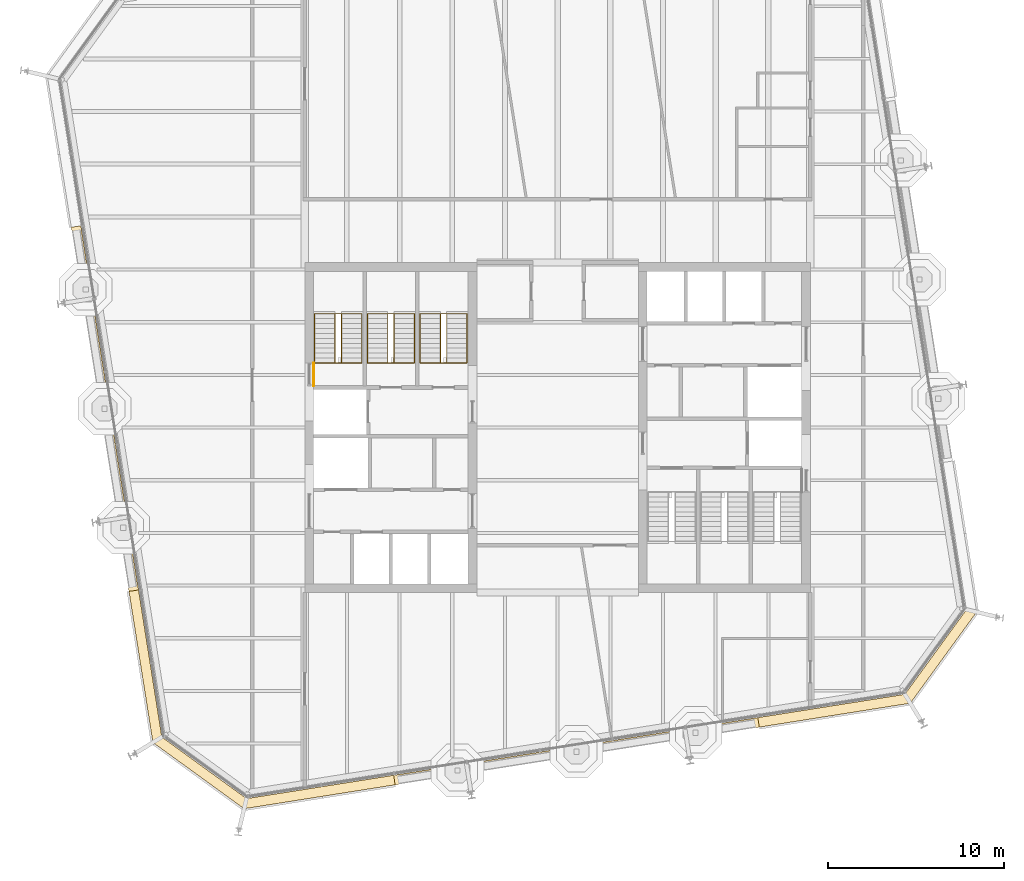
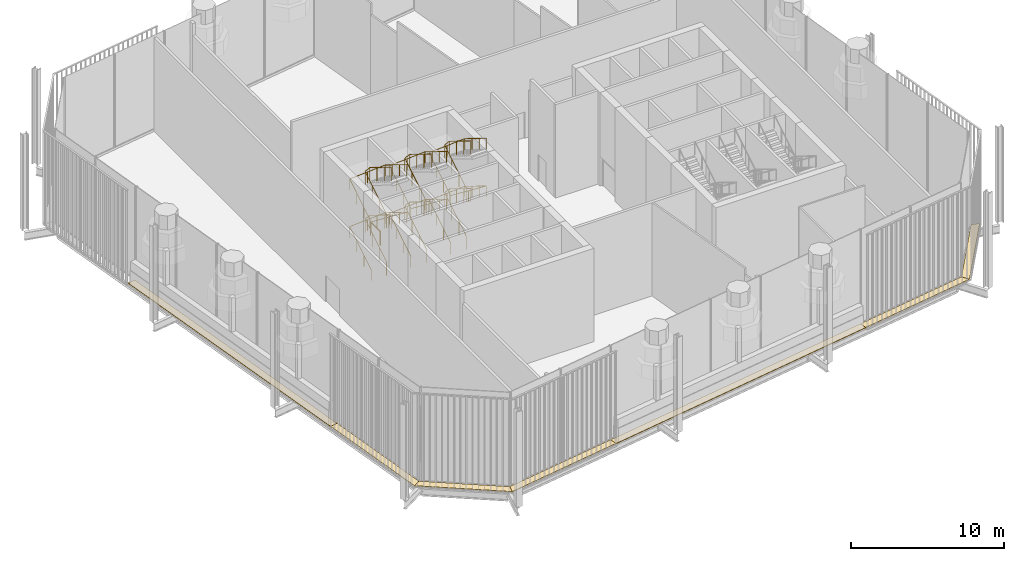
# One storey, part 15 of 17: 7 coverings, 7 railings.
"""IFC4 building model written with IfcOpenShell, lengths in metres."""

import ifcopenshell
import ifcopenshell.guid

model = None  # the IFC model being written
_history = None  # IfcOwnerHistory: only IFC2X3 demands one
_inside = {}  # id of a spatial element -> (the spatial element, [elements in it])
_under = {}  # id of a project, library or spatial element -> (it, [spatial elements below it])
_declared = {}  # id of a project -> (the project, [libraries it declares])
_typed = {}  # id of a type object -> (the type object, [elements of that type])
_made_of = {}  # id of a material, layer set ... -> (it, [elements and type objects made of it])


def new_model(schema):
    """Start an empty IFC model of exactly this schema.

    Asked for "IFC4X3", IfcOpenShell would pick the latest addendum, in which some entities
    have other attributes; the version numbers below select the first issue.
    IFC2X3 requires an IfcOwnerHistory on every rooted entity: one is made here for all.
    """
    global model, _history
    if schema == "IFC4X3":
        model = ifcopenshell.file(schema_version=(4, 3, 0, 0))
    else:
        model = ifcopenshell.file(schema=schema)
    _inside.clear()
    _under.clear()
    _declared.clear()
    _typed.clear()
    _made_of.clear()
    _history = None
    if model.schema == "IFC2X3":
        org = make("IfcOrganization", Name="unknown")
        user = make(
            "IfcPersonAndOrganization",
            ThePerson=make("IfcPerson", FamilyName="unknown"),
            TheOrganization=org,
        )
        app = make(
            "IfcApplication",
            ApplicationDeveloper=org,
            Version="unknown",
            ApplicationFullName="unknown",
            ApplicationIdentifier="unknown",
        )
        _history = make(
            "IfcOwnerHistory",
            OwningUser=user,
            OwningApplication=app,
            ChangeAction="ADDED",
            CreationDate=0,
        )
    return model


def make(cls, **values):
    """One entity of the class cls with the attributes given. An attribute that is None is left unset."""
    return model.create_entity(
        cls, **{name: value for name, value in values.items() if value is not None}
    )


def rooted(cls, **values):
    """An entity with a GlobalId (a new one), such as an element, a storey or a relation."""
    return make(cls, GlobalId=ifcopenshell.guid.new(), OwnerHistory=_history, **values)


def si_unit(unit_type, name, prefix=None):
    """IfcSIUnit, for example si_unit("LENGTHUNIT", "METRE", prefix="MILLI")."""
    return make("IfcSIUnit", UnitType=unit_type, Prefix=prefix, Name=name)


def assignment(units):
    """IfcUnitAssignment: the units of a project."""
    return None if units is None else make("IfcUnitAssignment", Units=units)


def point(xyz):
    """IfcCartesianPoint."""
    return None if xyz is None else make("IfcCartesianPoint", Coordinates=xyz)


def direction(xyz):
    """IfcDirection."""
    return None if xyz is None else make("IfcDirection", DirectionRatios=xyz)


def frame(location, z_axis=None, x_axis=None):
    """IfcAxis2Placement3D, a coordinate frame: its origin and axes. An axis left out is left unset."""
    return make(
        "IfcAxis2Placement3D",
        Location=point(location),
        Axis=direction(z_axis),
        RefDirection=direction(x_axis),
    )


def frame_2d(location, x_axis=None):
    """IfcAxis2Placement2D, a coordinate frame in the plane: its origin and x axis."""
    return make(
        "IfcAxis2Placement2D", Location=point(location), RefDirection=direction(x_axis)
    )


def origin():
    """The frame at (0, 0, 0) with its axes left unset."""
    return frame((0.0, 0.0, 0.0))


def origin_2d():
    """The frame at (0, 0) in the plane with its x axis left unset."""
    return frame_2d((0.0, 0.0))


def place(relative_to, where):
    """IfcLocalPlacement: puts the frame where relative to a parent placement (None: the world)."""
    return make(
        "IfcLocalPlacement", PlacementRelTo=relative_to, RelativePlacement=where
    )


def context(
    kind, dimensions, precision=None, world=None, true_north=None, identifier=None
):
    """IfcGeometricRepresentationContext, for example the 3D "Model" context."""
    return make(
        "IfcGeometricRepresentationContext",
        ContextIdentifier=identifier,
        ContextType=kind,
        CoordinateSpaceDimension=dimensions,
        Precision=precision,
        WorldCoordinateSystem=world,
        TrueNorth=true_north,
    )


def subcontext(parent, identifier, kind, view, scale=None):
    """IfcGeometricRepresentationSubContext, for example "Body" below "Model"."""
    return make(
        "IfcGeometricRepresentationSubContext",
        ContextIdentifier=identifier,
        ContextType=kind,
        ParentContext=parent,
        TargetScale=scale,
        TargetView=view,
    )


def project(units=None, contexts=None):
    """IfcProject with its units and contexts."""
    return rooted(
        "IfcProject",
        Name="project",
        RepresentationContexts=contexts,
        UnitsInContext=assignment(units),
    )


def spatial(cls, under=None, at=None, **own):
    """A site, building, storey or space (cls), placed at a placement, below another one or the project."""
    s = rooted(cls, ObjectPlacement=at, **own)
    if under is not None:
        _under.setdefault(under.id(), (under, []))[1].append(s)
    return s


def polyline(points):
    """IfcPolyline through the points."""
    return make("IfcPolyline", Points=[point(p) for p in points])


def profile(cls, at=None, kind="AREA", **sizes):
    """A parametric profile (cls). Its sizes go by their IFC names, for example OverallWidth=200.0."""
    return make(cls, ProfileType=kind, Position=at, **sizes)


def circle(**sizes):
    """IfcCircleProfileDef."""
    return profile("IfcCircleProfileDef", **sizes)


def outline(outer, holes=None, kind="AREA"):
    """IfcArbitraryClosedProfileDef: a profile drawn as a closed curve; with holes, ...WithVoids."""
    if holes is None:
        return make("IfcArbitraryClosedProfileDef", ProfileType=kind, OuterCurve=outer)
    return make(
        "IfcArbitraryProfileDefWithVoids",
        ProfileType=kind,
        OuterCurve=outer,
        InnerCurves=holes,
    )


def extrude(swept, where, along, depth):
    """IfcExtrudedAreaSolid: the profile swept, set in the frame where, extruded along a direction by depth."""
    return make(
        "IfcExtrudedAreaSolid",
        SweptArea=swept,
        Position=where,
        ExtrudedDirection=direction(along),
        Depth=depth,
    )


def shape(context_of_items, identifier, shape_type, items):
    """IfcShapeRepresentation: the items that make up one representation, for example the "Body"."""
    return make(
        "IfcShapeRepresentation",
        ContextOfItems=context_of_items,
        RepresentationIdentifier=identifier,
        RepresentationType=shape_type,
        Items=items,
    )


def material(Name=None, Category=None):
    """IfcMaterial."""
    return make("IfcMaterial", Name=Name, Category=Category)


def layer(
    of_material, thickness, ventilated=None, Name=None, Category=None, Priority=None
):
    """IfcMaterialLayer: one layer of a wall or slab, of a material (None: an air gap)."""
    return make(
        "IfcMaterialLayer",
        Material=of_material,
        LayerThickness=thickness,
        IsVentilated=ventilated,
        Name=Name,
        Category=Category,
        Priority=Priority,
    )


def layer_set(layers, Name=None):
    """IfcMaterialLayerSet."""
    return make("IfcMaterialLayerSet", MaterialLayers=layers, LayerSetName=Name)


def made_of(thing, what):
    """Note that an element or type object is made of a material, layer set ...; save() writes the relation."""
    if what is not None:
        _made_of.setdefault(what.id(), (what, []))[1].append(thing)
    return thing


def type_object(cls, material=None, **own):
    """A type object (cls), such as IfcWallType, which elements share."""
    return made_of(rooted(cls, **own), material)


def element(
    cls,
    number,
    at=None,
    inside=None,
    cuts=None,
    type_object=None,
    material=None,
    context=None,
    identifier="Body",
    shape_type=None,
    held_by="IfcProductDefinitionShape",
    body=None,
    shapes=None,
    **own,
):
    """One element of the class cls, such as IfcWall. Its Tag is "e" and its number.

    at: its placement. inside: the storey or other place that contains it. cuts: it is an
    opening in that element (IfcRelVoidsElement). A single representation is given by context,
    identifier, shape_type and body (its items); several are given by shapes. held_by: the class
    of the entity that holds the representations. save() writes the other relations.
    """
    e = rooted(cls, Tag="e%d" % number, ObjectPlacement=at, **own)
    if body is not None:
        shapes = [shape(context, identifier, shape_type, body)]
    if shapes is not None:
        e.Representation = make(held_by, Representations=shapes)
    if inside is not None:
        _inside.setdefault(inside.id(), (inside, []))[1].append(e)
    if cuts is not None:
        rooted(
            "IfcRelVoidsElement", RelatingBuildingElement=cuts, RelatedOpeningElement=e
        )
    if type_object is not None:
        _typed.setdefault(type_object.id(), (type_object, []))[1].append(e)
    return made_of(e, material)


def aggregate(whole, parts):
    """IfcRelAggregates: a whole, such as a stair, and the parts it consists of."""
    return rooted("IfcRelAggregates", RelatingObject=whole, RelatedObjects=parts)


def save(model, path):
    """Write the relations noted so far, then the file.

    IfcRelAggregates (storeys below a building ...), IfcRelContainedInSpatialStructure (elements
    in a storey), IfcRelDefinesByType, IfcRelAssociatesMaterial and IfcRelDeclares: one each for
    every whole, place, type object, material and project.
    """
    for whole, parts in _under.values():
        aggregate(whole, parts)
    for where, things in _inside.values():
        rooted(
            "IfcRelContainedInSpatialStructure",
            RelatedElements=things,
            RelatingStructure=where,
        )
    for kind, things in _typed.values():
        rooted("IfcRelDefinesByType", RelatedObjects=things, RelatingType=kind)
    for what, things in _made_of.values():
        rooted("IfcRelAssociatesMaterial", RelatedObjects=things, RelatingMaterial=what)
    for by, libraries in _declared.values():
        rooted("IfcRelDeclares", RelatingContext=by, RelatedDefinitions=libraries)
    model.write(path)


model = new_model("IFC4")

# Units and contexts
model_context = context("Model", 3, precision=1e-05, world=origin(), true_north=direction((0.0, 1.0)))
body_context = subcontext(model_context, "Body", "Model", "MODEL_VIEW")
ifc_project = project(units=[si_unit("LENGTHUNIT", "METRE"), si_unit("AREAUNIT", "SQUARE_METRE"), si_unit("VOLUMEUNIT", "CUBIC_METRE"), si_unit("PLANEANGLEUNIT", "RADIAN"), si_unit("MASSUNIT", "GRAM", prefix="KILO")], contexts=[model_context])

# Site, building, storey
site_placement = place(None, origin())
site = spatial("IfcSite", under=ifc_project, at=site_placement, CompositionType="ELEMENT")
building_placement = place(site_placement, origin())
building = spatial("IfcBuilding", under=site, at=building_placement, Name="Millrace Tower", CompositionType="ELEMENT")
storey_placement = place(building_placement, frame((0.0, 0.0, 239.800048828125)))
storey = spatial("IfcBuildingStorey", under=building, at=storey_placement, Name="L55", CompositionType="ELEMENT", Elevation=239.800048828125)

# Coverings
ifc_material_1 = material(Name="Steel ASTM A36", Category="steel")
ifc_layer = layer(ifc_material_1, 0.050048828125)
ifc_layer_set = layer_set([ifc_layer], Name="Steel ASTM A36")
covering_type = type_object("IfcCoveringType", Name="CAVITY CATWALK steel grating", PredefinedType="FLOORING", material=ifc_layer_set)
placement = place(storey_placement, frame((0.0, 0.0, 0.099853515625)))
element("IfcCovering", 1, at=placement, inside=storey, type_object=covering_type, Name="Cavity catwalk grating D-F01 L55 1", PredefinedType="FLOORING", context=body_context, shape_type="SweptSolid", body=[
    extrude(outline(polyline([(-23.052490234375, -17.939453125), (-17.85888671875, -21.712890625), (-17.719970703125, -21.134033203125), (-22.544677734375, -17.62841796875), (-23.052490234375, -17.939453125)])), origin(), (0.0, 0.0, 1.0), 0.050048828125),
])
element("IfcCovering", 2, at=placement, inside=storey, type_object=covering_type, Name="Cavity catwalk grating D-F02 L55 1", PredefinedType="FLOORING", context=body_context, shape_type="SweptSolid", body=[
    extrude(outline(polyline([(-17.85888671875, -21.712890625), (-9.25537109375, -20.35009765625), (-9.341552734375, -19.806884765625), (-17.719970703125, -21.134033203125), (-17.85888671875, -21.712890625)])), origin(), (0.0, 0.0, 1.0), 0.050048828125),
])
element("IfcCovering", 3, at=placement, inside=storey, type_object=covering_type, Name="Cavity catwalk grating D-F02 L55 2", PredefinedType="FLOORING", context=body_context, shape_type="SweptSolid", body=[
    extrude(outline(polyline([(-9.25537109375, -20.35009765625), (11.486083984375, -17.06494140625), (11.39990234375, -16.521728515625), (-9.341552734375, -19.806884765625), (-9.25537109375, -20.35009765625)])), origin(), (0.0, 0.0, 1.0), 0.050048828125),
])
element("IfcCovering", 4, at=placement, inside=storey, type_object=covering_type, Name="Cavity catwalk grating D-F02 L55 3", PredefinedType="FLOORING", context=body_context, shape_type="SweptSolid", body=[
    extrude(outline(polyline([(11.486083984375, -17.06494140625), (20.08935546875, -15.702392578125), (19.7783203125, -15.19482421875), (11.39990234375, -16.521728515625), (11.486083984375, -17.06494140625)])), origin(), (0.0, 0.0, 1.0), 0.050048828125),
])
element("IfcCovering", 5, at=placement, inside=storey, type_object=covering_type, Name="Cavity catwalk grating D-F03 L55 1", PredefinedType="FLOORING", context=body_context, shape_type="SweptSolid", body=[
    extrude(outline(polyline([(20.08935546875, -15.702392578125), (23.86279296875, -10.5087890625), (23.283935546875, -10.369873046875), (19.7783203125, -15.19482421875), (20.08935546875, -15.702392578125)])), origin(), (0.0, 0.0, 1.0), 0.050048828125),
])
element("IfcCovering", 6, at=placement, inside=storey, type_object=covering_type, Name="Cavity catwalk grating D-F08 L55 2", PredefinedType="FLOORING", context=body_context, shape_type="SweptSolid", body=[
    extrude(outline(polyline([(-27.7001953125, 11.405517578125), (-24.4150390625, -9.3359375), (-23.871826171875, -9.25), (-27.156982421875, 11.491455078125), (-27.7001953125, 11.405517578125)])), origin(), (0.0, 0.0, 1.0), 0.050048828125),
])
element("IfcCovering", 7, at=placement, inside=storey, type_object=covering_type, Name="Cavity catwalk grating D-F08 L55 3", PredefinedType="FLOORING", context=body_context, shape_type="SweptSolid", body=[
    extrude(outline(polyline([(-24.4150390625, -9.3359375), (-23.052490234375, -17.939453125), (-22.544677734375, -17.62841796875), (-23.871826171875, -9.25), (-24.4150390625, -9.3359375)])), origin(), (0.0, 0.0, 1.0), 0.050048828125),
])

# Railings
ifc_material_2 = material(Name="Stainless steel ASTM A240 type 316", Category="steel")
railing_type_1 = type_object("IfcRailingType", Name="Stair guard 1100", PredefinedType="GUARDRAIL", material=ifc_material_2)
railing_1_placement = place(storey_placement, frame((-12.679931640625, 3.679931640625, 0.172607421875)))
element("IfcRailing", 8, at=railing_1_placement, inside=storey, type_object=railing_type_1, Name="Stair guard 1 W L55", PredefinedType="GUARDRAIL", context=body_context, shape_type="SweptSolid", body=[
    extrude(circle(Radius=0.02392578125, at=origin_2d()), frame((0.0, 0.0, 1.076171875), z_axis=(0.0, 0.851089632645, 0.525020415988), x_axis=(-1.0, 0.0, 0.0)), (0.0, 0.0, 1.0), 3.2900390625),
    extrude(circle(Radius=0.02392578125, at=origin_2d()), frame((0.0, 2.800048828125, 2.80322265625), z_axis=(0.901408511443, 0.0, 0.432969624221), x_axis=(0.0, 1.0, 0.0)), (0.0, 0.0, 1.0), 0.399169921875),
    extrude(circle(Radius=0.02392578125, at=origin_2d()), frame((0.35986328125, 2.800048828125, 2.97607421875), z_axis=(0.0, -0.851089632645, 0.525020415988), x_axis=(1.0, 0.0, 0.0)), (0.0, 0.0, 1.0), 3.2900390625),
    extrude(circle(Radius=0.02392578125, at=origin_2d()), frame((0.35986328125, 0.0, 4.70361328125), z_axis=(-0.901647110569, 0.0, 0.432472528611), x_axis=(0.0, -1.0, 0.0)), (0.0, 0.0, 1.0), 0.399169921875),
    extrude(circle(Radius=0.02392578125, at=origin_2d()), frame((0.0, 0.0, 4.8759765625), z_axis=(0.0, 0.851089632645, 0.525020415988), x_axis=(-1.0, 0.0, 0.0)), (0.0, 0.0, 1.0), 3.2900390625),
    extrude(circle(Radius=0.02392578125, at=origin_2d()), frame((0.0, 2.800048828125, 6.603515625), z_axis=(0.901647110569, 0.0, 0.432472528611), x_axis=(0.0, 1.0, 0.0)), (0.0, 0.0, 1.0), 0.399169921875),
    extrude(circle(Radius=0.02392578125, at=origin_2d()), frame((0.35986328125, 2.800048828125, 6.77587890625), z_axis=(0.0, -0.851089632645, 0.525020415988), x_axis=(1.0, 0.0, 0.0)), (0.0, 0.0, 1.0), 3.2900390625),
    extrude(circle(Radius=0.02099609375, at=origin_2d()), origin(), (0.0, 0.0, 1.0), 1.052001953125),
    extrude(circle(Radius=0.02099609375, at=origin_2d()), frame((0.0, 0.933349609375, 0.57568359375)), (0.0, 0.0, 1.0), 1.052001953125),
    extrude(circle(Radius=0.02099609375, at=origin_2d()), frame((0.0, 1.86669921875, 1.151611328125)), (0.0, 0.0, 1.0), 1.052001953125),
    extrude(circle(Radius=0.02099609375, at=origin_2d()), frame((0.0, 2.800048828125, 1.727294921875)), (0.0, 0.0, 1.0), 1.052001953125),
    extrude(circle(Radius=0.02099609375, at=origin_2d()), frame((0.35986328125, 2.800048828125, 1.900146484375)), (0.0, 0.0, 1.0), 1.052001953125),
    extrude(circle(Radius=0.02099609375, at=origin_2d()), frame((0.35986328125, 1.86669921875, 2.475830078125)), (0.0, 0.0, 1.0), 1.052001953125),
    extrude(circle(Radius=0.02099609375, at=origin_2d()), frame((0.35986328125, 0.933349609375, 3.0517578125)), (0.0, 0.0, 1.0), 1.052001953125),
    extrude(circle(Radius=0.02099609375, at=origin_2d()), frame((0.35986328125, 0.0, 3.62744140625)), (0.0, 0.0, 1.0), 1.052001953125),
    extrude(circle(Radius=0.02099609375, at=origin_2d()), frame((0.0, 0.0, 3.800048828125)), (0.0, 0.0, 1.0), 1.052001953125),
    extrude(circle(Radius=0.02099609375, at=origin_2d()), frame((0.0, 0.933349609375, 4.375732421875)), (0.0, 0.0, 1.0), 1.052001953125),
    extrude(circle(Radius=0.02099609375, at=origin_2d()), frame((0.0, 1.86669921875, 4.95166015625)), (0.0, 0.0, 1.0), 1.052001953125),
    extrude(circle(Radius=0.02099609375, at=origin_2d()), frame((0.0, 2.800048828125, 5.52734375)), (0.0, 0.0, 1.0), 1.052001953125),
    extrude(circle(Radius=0.02099609375, at=origin_2d()), frame((0.35986328125, 2.800048828125, 5.699951171875)), (0.0, 0.0, 1.0), 1.052001953125),
    extrude(circle(Radius=0.02099609375, at=origin_2d()), frame((0.35986328125, 1.86669921875, 6.275634765625)), (0.0, 0.0, 1.0), 1.052001953125),
    extrude(circle(Radius=0.02099609375, at=origin_2d()), frame((0.35986328125, 0.933349609375, 6.8515625)), (0.0, 0.0, 1.0), 1.052001953125),
    extrude(circle(Radius=0.02099609375, at=origin_2d()), frame((0.35986328125, 0.0, 7.42724609375)), (0.0, 0.0, 1.0), 1.052001953125),
])
railing_2_placement = place(storey_placement, frame((-13.89990234375, 2.3798828125, 3.800048828125)))
element("IfcRailing", 9, at=railing_2_placement, inside=storey, type_object=railing_type_1, Name="Stair door landing guard W L55", PredefinedType="GUARDRAIL", context=body_context, shape_type="SweptSolid", body=[
    extrude(circle(Radius=0.02392578125, at=origin_2d()), frame((0.0, 0.0, 1.076171875), z_axis=(0.0, 1.0, 0.0), x_axis=(-1.0, 0.0, 0.0)), (0.0, 0.0, 1.0), 1.300048828125),
    extrude(circle(Radius=0.02099609375, at=origin_2d()), origin(), (0.0, 0.0, 1.0), 1.052001953125),
    extrude(circle(Radius=0.02099609375, at=origin_2d()), frame((0.0, 1.300048828125, 0.0)), (0.0, 0.0, 1.0), 1.052001953125),
])
railing_3_placement = place(storey_placement, frame((-9.679931640625, 3.679931640625, 0.172607421875)))
element("IfcRailing", 10, at=railing_3_placement, inside=storey, type_object=railing_type_1, Name="Stair guard 2 W L55", PredefinedType="GUARDRAIL", context=body_context, shape_type="SweptSolid", body=[
    extrude(circle(Radius=0.02392578125, at=origin_2d()), frame((0.0, 0.0, 1.076171875), z_axis=(0.0, 0.851089632645, 0.525020415988), x_axis=(-1.0, 0.0, 0.0)), (0.0, 0.0, 1.0), 3.2900390625),
    extrude(circle(Radius=0.02392578125, at=origin_2d()), frame((0.0, 2.800048828125, 2.80322265625), z_axis=(0.901408511443, 0.0, 0.432969624221), x_axis=(0.0, 1.0, 0.0)), (0.0, 0.0, 1.0), 0.399169921875),
    extrude(circle(Radius=0.02392578125, at=origin_2d()), frame((0.35986328125, 2.800048828125, 2.97607421875), z_axis=(0.0, -0.851089632645, 0.525020415988), x_axis=(1.0, 0.0, 0.0)), (0.0, 0.0, 1.0), 3.2900390625),
    extrude(circle(Radius=0.02392578125, at=origin_2d()), frame((0.35986328125, 0.0, 4.70361328125), z_axis=(-0.901647110569, 0.0, 0.432472528611), x_axis=(0.0, -1.0, 0.0)), (0.0, 0.0, 1.0), 0.399169921875),
    extrude(circle(Radius=0.02392578125, at=origin_2d()), frame((0.0, 0.0, 4.8759765625), z_axis=(0.0, 0.851089632645, 0.525020415988), x_axis=(-1.0, 0.0, 0.0)), (0.0, 0.0, 1.0), 3.2900390625),
    extrude(circle(Radius=0.02392578125, at=origin_2d()), frame((0.0, 2.800048828125, 6.603515625), z_axis=(0.901647110569, 0.0, 0.432472528611), x_axis=(0.0, 1.0, 0.0)), (0.0, 0.0, 1.0), 0.399169921875),
    extrude(circle(Radius=0.02392578125, at=origin_2d()), frame((0.35986328125, 2.800048828125, 6.77587890625), z_axis=(0.0, -0.851089632645, 0.525020415988), x_axis=(1.0, 0.0, 0.0)), (0.0, 0.0, 1.0), 3.2900390625),
    extrude(circle(Radius=0.02099609375, at=origin_2d()), origin(), (0.0, 0.0, 1.0), 1.052001953125),
    extrude(circle(Radius=0.02099609375, at=origin_2d()), frame((0.0, 0.933349609375, 0.57568359375)), (0.0, 0.0, 1.0), 1.052001953125),
    extrude(circle(Radius=0.02099609375, at=origin_2d()), frame((0.0, 1.86669921875, 1.151611328125)), (0.0, 0.0, 1.0), 1.052001953125),
    extrude(circle(Radius=0.02099609375, at=origin_2d()), frame((0.0, 2.800048828125, 1.727294921875)), (0.0, 0.0, 1.0), 1.052001953125),
    extrude(circle(Radius=0.02099609375, at=origin_2d()), frame((0.35986328125, 2.800048828125, 1.900146484375)), (0.0, 0.0, 1.0), 1.052001953125),
    extrude(circle(Radius=0.02099609375, at=origin_2d()), frame((0.35986328125, 1.86669921875, 2.475830078125)), (0.0, 0.0, 1.0), 1.052001953125),
    extrude(circle(Radius=0.02099609375, at=origin_2d()), frame((0.35986328125, 0.933349609375, 3.0517578125)), (0.0, 0.0, 1.0), 1.052001953125),
    extrude(circle(Radius=0.02099609375, at=origin_2d()), frame((0.35986328125, 0.0, 3.62744140625)), (0.0, 0.0, 1.0), 1.052001953125),
    extrude(circle(Radius=0.02099609375, at=origin_2d()), frame((0.0, 0.0, 3.800048828125)), (0.0, 0.0, 1.0), 1.052001953125),
    extrude(circle(Radius=0.02099609375, at=origin_2d()), frame((0.0, 0.933349609375, 4.375732421875)), (0.0, 0.0, 1.0), 1.052001953125),
    extrude(circle(Radius=0.02099609375, at=origin_2d()), frame((0.0, 1.86669921875, 4.95166015625)), (0.0, 0.0, 1.0), 1.052001953125),
    extrude(circle(Radius=0.02099609375, at=origin_2d()), frame((0.0, 2.800048828125, 5.52734375)), (0.0, 0.0, 1.0), 1.052001953125),
    extrude(circle(Radius=0.02099609375, at=origin_2d()), frame((0.35986328125, 2.800048828125, 5.699951171875)), (0.0, 0.0, 1.0), 1.052001953125),
    extrude(circle(Radius=0.02099609375, at=origin_2d()), frame((0.35986328125, 1.86669921875, 6.275634765625)), (0.0, 0.0, 1.0), 1.052001953125),
    extrude(circle(Radius=0.02099609375, at=origin_2d()), frame((0.35986328125, 0.933349609375, 6.8515625)), (0.0, 0.0, 1.0), 1.052001953125),
    extrude(circle(Radius=0.02099609375, at=origin_2d()), frame((0.35986328125, 0.0, 7.42724609375)), (0.0, 0.0, 1.0), 1.052001953125),
])
railing_4_placement = place(storey_placement, frame((-6.679931640625, 3.679931640625, 0.172607421875)))
element("IfcRailing", 11, at=railing_4_placement, inside=storey, type_object=railing_type_1, Name="Stair guard 3 W L55", PredefinedType="GUARDRAIL", context=body_context, shape_type="SweptSolid", body=[
    extrude(circle(Radius=0.02392578125, at=origin_2d()), frame((0.0, 0.0, 1.076171875), z_axis=(0.0, 0.851089632645, 0.525020415988), x_axis=(-1.0, 0.0, 0.0)), (0.0, 0.0, 1.0), 3.2900390625),
    extrude(circle(Radius=0.02392578125, at=origin_2d()), frame((0.0, 2.800048828125, 2.80322265625), z_axis=(0.901408511443, 0.0, 0.432969624221), x_axis=(0.0, 1.0, 0.0)), (0.0, 0.0, 1.0), 0.399169921875),
    extrude(circle(Radius=0.02392578125, at=origin_2d()), frame((0.35986328125, 2.800048828125, 2.97607421875), z_axis=(0.0, -0.851089632645, 0.525020415988), x_axis=(1.0, 0.0, 0.0)), (0.0, 0.0, 1.0), 3.2900390625),
    extrude(circle(Radius=0.02392578125, at=origin_2d()), frame((0.35986328125, 0.0, 4.70361328125), z_axis=(-0.901647110569, 0.0, 0.432472528611), x_axis=(0.0, -1.0, 0.0)), (0.0, 0.0, 1.0), 0.399169921875),
    extrude(circle(Radius=0.02392578125, at=origin_2d()), frame((0.0, 0.0, 4.8759765625), z_axis=(0.0, 0.851089632645, 0.525020415988), x_axis=(-1.0, 0.0, 0.0)), (0.0, 0.0, 1.0), 3.2900390625),
    extrude(circle(Radius=0.02392578125, at=origin_2d()), frame((0.0, 2.800048828125, 6.603515625), z_axis=(0.901647110569, 0.0, 0.432472528611), x_axis=(0.0, 1.0, 0.0)), (0.0, 0.0, 1.0), 0.399169921875),
    extrude(circle(Radius=0.02392578125, at=origin_2d()), frame((0.35986328125, 2.800048828125, 6.77587890625), z_axis=(0.0, -0.851089632645, 0.525020415988), x_axis=(1.0, 0.0, 0.0)), (0.0, 0.0, 1.0), 3.2900390625),
    extrude(circle(Radius=0.02099609375, at=origin_2d()), origin(), (0.0, 0.0, 1.0), 1.052001953125),
    extrude(circle(Radius=0.02099609375, at=origin_2d()), frame((0.0, 0.933349609375, 0.57568359375)), (0.0, 0.0, 1.0), 1.052001953125),
    extrude(circle(Radius=0.02099609375, at=origin_2d()), frame((0.0, 1.86669921875, 1.151611328125)), (0.0, 0.0, 1.0), 1.052001953125),
    extrude(circle(Radius=0.02099609375, at=origin_2d()), frame((0.0, 2.800048828125, 1.727294921875)), (0.0, 0.0, 1.0), 1.052001953125),
    extrude(circle(Radius=0.02099609375, at=origin_2d()), frame((0.35986328125, 2.800048828125, 1.900146484375)), (0.0, 0.0, 1.0), 1.052001953125),
    extrude(circle(Radius=0.02099609375, at=origin_2d()), frame((0.35986328125, 1.86669921875, 2.475830078125)), (0.0, 0.0, 1.0), 1.052001953125),
    extrude(circle(Radius=0.02099609375, at=origin_2d()), frame((0.35986328125, 0.933349609375, 3.0517578125)), (0.0, 0.0, 1.0), 1.052001953125),
    extrude(circle(Radius=0.02099609375, at=origin_2d()), frame((0.35986328125, 0.0, 3.62744140625)), (0.0, 0.0, 1.0), 1.052001953125),
    extrude(circle(Radius=0.02099609375, at=origin_2d()), frame((0.0, 0.0, 3.800048828125)), (0.0, 0.0, 1.0), 1.052001953125),
    extrude(circle(Radius=0.02099609375, at=origin_2d()), frame((0.0, 0.933349609375, 4.375732421875)), (0.0, 0.0, 1.0), 1.052001953125),
    extrude(circle(Radius=0.02099609375, at=origin_2d()), frame((0.0, 1.86669921875, 4.95166015625)), (0.0, 0.0, 1.0), 1.052001953125),
    extrude(circle(Radius=0.02099609375, at=origin_2d()), frame((0.0, 2.800048828125, 5.52734375)), (0.0, 0.0, 1.0), 1.052001953125),
    extrude(circle(Radius=0.02099609375, at=origin_2d()), frame((0.35986328125, 2.800048828125, 5.699951171875)), (0.0, 0.0, 1.0), 1.052001953125),
    extrude(circle(Radius=0.02099609375, at=origin_2d()), frame((0.35986328125, 1.86669921875, 6.275634765625)), (0.0, 0.0, 1.0), 1.052001953125),
    extrude(circle(Radius=0.02099609375, at=origin_2d()), frame((0.35986328125, 0.933349609375, 6.8515625)), (0.0, 0.0, 1.0), 1.052001953125),
    extrude(circle(Radius=0.02099609375, at=origin_2d()), frame((0.35986328125, 0.0, 7.42724609375)), (0.0, 0.0, 1.0), 1.052001953125),
])
ifc_material_3 = material(Name="Stainless steel ASTM A240 type 316", Category="steel")
railing_type_2 = type_object("IfcRailingType", Name="Stair handrail 900", PredefinedType="HANDRAIL", material=ifc_material_3)
railing_5_placement = place(storey_placement, frame((-13.840087890625, 3.679931640625, 0.172607421875)))
element("IfcRailing", 12, at=railing_5_placement, inside=storey, type_object=railing_type_2, Name="Stair handrail 1 W L55", PredefinedType="HANDRAIL", context=body_context, shape_type="SweptSolid", body=[
    extrude(circle(Radius=0.02392578125, at=origin_2d()), frame((0.0, 0.0, 0.8759765625), z_axis=(0.0, 0.851089632645, 0.525020415988), x_axis=(-1.0, 0.0, 0.0)), (0.0, 0.0, 1.0), 3.2900390625),
    extrude(circle(Radius=0.02392578125, at=origin_2d()), frame((0.0, 2.800048828125, 2.60302734375), z_axis=(0.997926815885, 0.0, 0.064358916528), x_axis=(0.0, 1.0, 0.0)), (0.0, 0.0, 1.0), 2.685791015625),
    extrude(circle(Radius=0.02392578125, at=origin_2d()), frame((2.68017578125, 2.800048828125, 2.77587890625), z_axis=(0.0, -0.851089632645, 0.525020415988), x_axis=(1.0, 0.0, 0.0)), (0.0, 0.0, 1.0), 3.2900390625),
    extrude(circle(Radius=0.02392578125, at=origin_2d()), frame((2.68017578125, 0.0, 4.50341796875), z_axis=(-0.997932650066, 0.0, 0.064268389834), x_axis=(0.0, -1.0, 0.0)), (0.0, 0.0, 1.0), 2.685791015625),
    extrude(circle(Radius=0.02392578125, at=origin_2d()), frame((0.0, 0.0, 4.67578125), z_axis=(0.0, 0.851089632645, 0.525020415988), x_axis=(-1.0, 0.0, 0.0)), (0.0, 0.0, 1.0), 3.2900390625),
    extrude(circle(Radius=0.02392578125, at=origin_2d()), frame((0.0, 2.800048828125, 6.4033203125), z_axis=(0.997932650066, 0.0, 0.064268389834), x_axis=(0.0, 1.0, 0.0)), (0.0, 0.0, 1.0), 2.685791015625),
    extrude(circle(Radius=0.02392578125, at=origin_2d()), frame((2.68017578125, 2.800048828125, 6.57568359375), z_axis=(0.0, -0.851089632645, 0.525020415988), x_axis=(1.0, 0.0, 0.0)), (0.0, 0.0, 1.0), 3.2900390625),
    extrude(circle(Radius=0.02099609375, at=origin_2d()), origin(), (0.0, 0.0, 1.0), 0.851806640625),
    extrude(circle(Radius=0.02099609375, at=origin_2d()), frame((0.0, 0.933349609375, 0.57568359375)), (0.0, 0.0, 1.0), 0.851806640625),
    extrude(circle(Radius=0.02099609375, at=origin_2d()), frame((0.0, 1.86669921875, 1.151611328125)), (0.0, 0.0, 1.0), 0.851806640625),
    extrude(circle(Radius=0.02099609375, at=origin_2d()), frame((0.0, 2.800048828125, 1.727294921875)), (0.0, 0.0, 1.0), 0.851806640625),
    extrude(circle(Radius=0.02099609375, at=origin_2d()), frame((1.340087890625, 2.800048828125, 1.813720703125)), (0.0, 0.0, 1.0), 0.851806640625),
    extrude(circle(Radius=0.02099609375, at=origin_2d()), frame((2.68017578125, 2.800048828125, 1.900146484375)), (0.0, 0.0, 1.0), 0.851806640625),
    extrude(circle(Radius=0.02099609375, at=origin_2d()), frame((2.68017578125, 1.86669921875, 2.475830078125)), (0.0, 0.0, 1.0), 0.851806640625),
    extrude(circle(Radius=0.02099609375, at=origin_2d()), frame((2.68017578125, 0.933349609375, 3.0517578125)), (0.0, 0.0, 1.0), 0.851806640625),
    extrude(circle(Radius=0.02099609375, at=origin_2d()), frame((2.68017578125, 0.0, 3.62744140625)), (0.0, 0.0, 1.0), 0.851806640625),
    extrude(circle(Radius=0.02099609375, at=origin_2d()), frame((1.340087890625, 0.0, 3.7138671875)), (0.0, 0.0, 1.0), 0.851806640625),
    extrude(circle(Radius=0.02099609375, at=origin_2d()), frame((0.0, 0.0, 3.800048828125)), (0.0, 0.0, 1.0), 0.851806640625),
    extrude(circle(Radius=0.02099609375, at=origin_2d()), frame((0.0, 0.933349609375, 4.375732421875)), (0.0, 0.0, 1.0), 0.851806640625),
    extrude(circle(Radius=0.02099609375, at=origin_2d()), frame((0.0, 1.86669921875, 4.95166015625)), (0.0, 0.0, 1.0), 0.851806640625),
    extrude(circle(Radius=0.02099609375, at=origin_2d()), frame((0.0, 2.800048828125, 5.52734375)), (0.0, 0.0, 1.0), 0.851806640625),
    extrude(circle(Radius=0.02099609375, at=origin_2d()), frame((1.340087890625, 2.800048828125, 5.61376953125)), (0.0, 0.0, 1.0), 0.851806640625),
    extrude(circle(Radius=0.02099609375, at=origin_2d()), frame((2.68017578125, 2.800048828125, 5.699951171875)), (0.0, 0.0, 1.0), 0.851806640625),
    extrude(circle(Radius=0.02099609375, at=origin_2d()), frame((2.68017578125, 1.86669921875, 6.275634765625)), (0.0, 0.0, 1.0), 0.851806640625),
    extrude(circle(Radius=0.02099609375, at=origin_2d()), frame((2.68017578125, 0.933349609375, 6.8515625)), (0.0, 0.0, 1.0), 0.851806640625),
    extrude(circle(Radius=0.02099609375, at=origin_2d()), frame((2.68017578125, 0.0, 7.42724609375)), (0.0, 0.0, 1.0), 0.851806640625),
])
railing_6_placement = place(storey_placement, frame((-10.840087890625, 3.679931640625, 0.172607421875)))
element("IfcRailing", 13, at=railing_6_placement, inside=storey, type_object=railing_type_2, Name="Stair handrail 2 W L55", PredefinedType="HANDRAIL", context=body_context, shape_type="SweptSolid", body=[
    extrude(circle(Radius=0.02392578125, at=origin_2d()), frame((0.0, 0.0, 0.8759765625), z_axis=(0.0, 0.851089632645, 0.525020415988), x_axis=(-1.0, 0.0, 0.0)), (0.0, 0.0, 1.0), 3.2900390625),
    extrude(circle(Radius=0.02392578125, at=origin_2d()), frame((0.0, 2.800048828125, 2.60302734375), z_axis=(0.997926815885, 0.0, 0.064358916528), x_axis=(0.0, 1.0, 0.0)), (0.0, 0.0, 1.0), 2.685791015625),
    extrude(circle(Radius=0.02392578125, at=origin_2d()), frame((2.68017578125, 2.800048828125, 2.77587890625), z_axis=(0.0, -0.851089632645, 0.525020415988), x_axis=(1.0, 0.0, 0.0)), (0.0, 0.0, 1.0), 3.2900390625),
    extrude(circle(Radius=0.02392578125, at=origin_2d()), frame((2.68017578125, 0.0, 4.50341796875), z_axis=(-0.997932650066, 0.0, 0.064268389834), x_axis=(0.0, -1.0, 0.0)), (0.0, 0.0, 1.0), 2.685791015625),
    extrude(circle(Radius=0.02392578125, at=origin_2d()), frame((0.0, 0.0, 4.67578125), z_axis=(0.0, 0.851089632645, 0.525020415988), x_axis=(-1.0, 0.0, 0.0)), (0.0, 0.0, 1.0), 3.2900390625),
    extrude(circle(Radius=0.02392578125, at=origin_2d()), frame((0.0, 2.800048828125, 6.4033203125), z_axis=(0.997932650066, 0.0, 0.064268389834), x_axis=(0.0, 1.0, 0.0)), (0.0, 0.0, 1.0), 2.685791015625),
    extrude(circle(Radius=0.02392578125, at=origin_2d()), frame((2.68017578125, 2.800048828125, 6.57568359375), z_axis=(0.0, -0.851089632645, 0.525020415988), x_axis=(1.0, 0.0, 0.0)), (0.0, 0.0, 1.0), 3.2900390625),
    extrude(circle(Radius=0.02099609375, at=origin_2d()), origin(), (0.0, 0.0, 1.0), 0.851806640625),
    extrude(circle(Radius=0.02099609375, at=origin_2d()), frame((0.0, 0.933349609375, 0.57568359375)), (0.0, 0.0, 1.0), 0.851806640625),
    extrude(circle(Radius=0.02099609375, at=origin_2d()), frame((0.0, 1.86669921875, 1.151611328125)), (0.0, 0.0, 1.0), 0.851806640625),
    extrude(circle(Radius=0.02099609375, at=origin_2d()), frame((0.0, 2.800048828125, 1.727294921875)), (0.0, 0.0, 1.0), 0.851806640625),
    extrude(circle(Radius=0.02099609375, at=origin_2d()), frame((1.340087890625, 2.800048828125, 1.813720703125)), (0.0, 0.0, 1.0), 0.851806640625),
    extrude(circle(Radius=0.02099609375, at=origin_2d()), frame((2.68017578125, 2.800048828125, 1.900146484375)), (0.0, 0.0, 1.0), 0.851806640625),
    extrude(circle(Radius=0.02099609375, at=origin_2d()), frame((2.68017578125, 1.86669921875, 2.475830078125)), (0.0, 0.0, 1.0), 0.851806640625),
    extrude(circle(Radius=0.02099609375, at=origin_2d()), frame((2.68017578125, 0.933349609375, 3.0517578125)), (0.0, 0.0, 1.0), 0.851806640625),
    extrude(circle(Radius=0.02099609375, at=origin_2d()), frame((2.68017578125, 0.0, 3.62744140625)), (0.0, 0.0, 1.0), 0.851806640625),
    extrude(circle(Radius=0.02099609375, at=origin_2d()), frame((1.340087890625, 0.0, 3.7138671875)), (0.0, 0.0, 1.0), 0.851806640625),
    extrude(circle(Radius=0.02099609375, at=origin_2d()), frame((0.0, 0.0, 3.800048828125)), (0.0, 0.0, 1.0), 0.851806640625),
    extrude(circle(Radius=0.02099609375, at=origin_2d()), frame((0.0, 0.933349609375, 4.375732421875)), (0.0, 0.0, 1.0), 0.851806640625),
    extrude(circle(Radius=0.02099609375, at=origin_2d()), frame((0.0, 1.86669921875, 4.95166015625)), (0.0, 0.0, 1.0), 0.851806640625),
    extrude(circle(Radius=0.02099609375, at=origin_2d()), frame((0.0, 2.800048828125, 5.52734375)), (0.0, 0.0, 1.0), 0.851806640625),
    extrude(circle(Radius=0.02099609375, at=origin_2d()), frame((1.340087890625, 2.800048828125, 5.61376953125)), (0.0, 0.0, 1.0), 0.851806640625),
    extrude(circle(Radius=0.02099609375, at=origin_2d()), frame((2.68017578125, 2.800048828125, 5.699951171875)), (0.0, 0.0, 1.0), 0.851806640625),
    extrude(circle(Radius=0.02099609375, at=origin_2d()), frame((2.68017578125, 1.86669921875, 6.275634765625)), (0.0, 0.0, 1.0), 0.851806640625),
    extrude(circle(Radius=0.02099609375, at=origin_2d()), frame((2.68017578125, 0.933349609375, 6.8515625)), (0.0, 0.0, 1.0), 0.851806640625),
    extrude(circle(Radius=0.02099609375, at=origin_2d()), frame((2.68017578125, 0.0, 7.42724609375)), (0.0, 0.0, 1.0), 0.851806640625),
])
railing_7_placement = place(storey_placement, frame((-7.840087890625, 3.679931640625, 0.172607421875)))
element("IfcRailing", 14, at=railing_7_placement, inside=storey, type_object=railing_type_2, Name="Stair handrail 3 W L55", PredefinedType="HANDRAIL", context=body_context, shape_type="SweptSolid", body=[
    extrude(circle(Radius=0.02392578125, at=origin_2d()), frame((0.0, 0.0, 0.8759765625), z_axis=(0.0, 0.851089632645, 0.525020415988), x_axis=(-1.0, 0.0, 0.0)), (0.0, 0.0, 1.0), 3.2900390625),
    extrude(circle(Radius=0.02392578125, at=origin_2d()), frame((0.0, 2.800048828125, 2.60302734375), z_axis=(0.997926815885, 0.0, 0.064358916528), x_axis=(0.0, 1.0, 0.0)), (0.0, 0.0, 1.0), 2.685791015625),
    extrude(circle(Radius=0.02392578125, at=origin_2d()), frame((2.68017578125, 2.800048828125, 2.77587890625), z_axis=(0.0, -0.851089632645, 0.525020415988), x_axis=(1.0, 0.0, 0.0)), (0.0, 0.0, 1.0), 3.2900390625),
    extrude(circle(Radius=0.02392578125, at=origin_2d()), frame((2.68017578125, 0.0, 4.50341796875), z_axis=(-0.997932650066, 0.0, 0.064268389834), x_axis=(0.0, -1.0, 0.0)), (0.0, 0.0, 1.0), 2.685791015625),
    extrude(circle(Radius=0.02392578125, at=origin_2d()), frame((0.0, 0.0, 4.67578125), z_axis=(0.0, 0.851089632645, 0.525020415988), x_axis=(-1.0, 0.0, 0.0)), (0.0, 0.0, 1.0), 3.2900390625),
    extrude(circle(Radius=0.02392578125, at=origin_2d()), frame((0.0, 2.800048828125, 6.4033203125), z_axis=(0.997932650066, 0.0, 0.064268389834), x_axis=(0.0, 1.0, 0.0)), (0.0, 0.0, 1.0), 2.685791015625),
    extrude(circle(Radius=0.02392578125, at=origin_2d()), frame((2.68017578125, 2.800048828125, 6.57568359375), z_axis=(0.0, -0.851089632645, 0.525020415988), x_axis=(1.0, 0.0, 0.0)), (0.0, 0.0, 1.0), 3.2900390625),
    extrude(circle(Radius=0.02099609375, at=origin_2d()), origin(), (0.0, 0.0, 1.0), 0.851806640625),
    extrude(circle(Radius=0.02099609375, at=origin_2d()), frame((0.0, 0.933349609375, 0.57568359375)), (0.0, 0.0, 1.0), 0.851806640625),
    extrude(circle(Radius=0.02099609375, at=origin_2d()), frame((0.0, 1.86669921875, 1.151611328125)), (0.0, 0.0, 1.0), 0.851806640625),
    extrude(circle(Radius=0.02099609375, at=origin_2d()), frame((0.0, 2.800048828125, 1.727294921875)), (0.0, 0.0, 1.0), 0.851806640625),
    extrude(circle(Radius=0.02099609375, at=origin_2d()), frame((1.340087890625, 2.800048828125, 1.813720703125)), (0.0, 0.0, 1.0), 0.851806640625),
    extrude(circle(Radius=0.02099609375, at=origin_2d()), frame((2.68017578125, 2.800048828125, 1.900146484375)), (0.0, 0.0, 1.0), 0.851806640625),
    extrude(circle(Radius=0.02099609375, at=origin_2d()), frame((2.68017578125, 1.86669921875, 2.475830078125)), (0.0, 0.0, 1.0), 0.851806640625),
    extrude(circle(Radius=0.02099609375, at=origin_2d()), frame((2.68017578125, 0.933349609375, 3.0517578125)), (0.0, 0.0, 1.0), 0.851806640625),
    extrude(circle(Radius=0.02099609375, at=origin_2d()), frame((2.68017578125, 0.0, 3.62744140625)), (0.0, 0.0, 1.0), 0.851806640625),
    extrude(circle(Radius=0.02099609375, at=origin_2d()), frame((1.340087890625, 0.0, 3.7138671875)), (0.0, 0.0, 1.0), 0.851806640625),
    extrude(circle(Radius=0.02099609375, at=origin_2d()), frame((0.0, 0.0, 3.800048828125)), (0.0, 0.0, 1.0), 0.851806640625),
    extrude(circle(Radius=0.02099609375, at=origin_2d()), frame((0.0, 0.933349609375, 4.375732421875)), (0.0, 0.0, 1.0), 0.851806640625),
    extrude(circle(Radius=0.02099609375, at=origin_2d()), frame((0.0, 1.86669921875, 4.95166015625)), (0.0, 0.0, 1.0), 0.851806640625),
    extrude(circle(Radius=0.02099609375, at=origin_2d()), frame((0.0, 2.800048828125, 5.52734375)), (0.0, 0.0, 1.0), 0.851806640625),
    extrude(circle(Radius=0.02099609375, at=origin_2d()), frame((1.340087890625, 2.800048828125, 5.61376953125)), (0.0, 0.0, 1.0), 0.851806640625),
    extrude(circle(Radius=0.02099609375, at=origin_2d()), frame((2.68017578125, 2.800048828125, 5.699951171875)), (0.0, 0.0, 1.0), 0.851806640625),
    extrude(circle(Radius=0.02099609375, at=origin_2d()), frame((2.68017578125, 1.86669921875, 6.275634765625)), (0.0, 0.0, 1.0), 0.851806640625),
    extrude(circle(Radius=0.02099609375, at=origin_2d()), frame((2.68017578125, 0.933349609375, 6.8515625)), (0.0, 0.0, 1.0), 0.851806640625),
    extrude(circle(Radius=0.02099609375, at=origin_2d()), frame((2.68017578125, 0.0, 7.42724609375)), (0.0, 0.0, 1.0), 0.851806640625),
])

save(model, "model.ifc")
